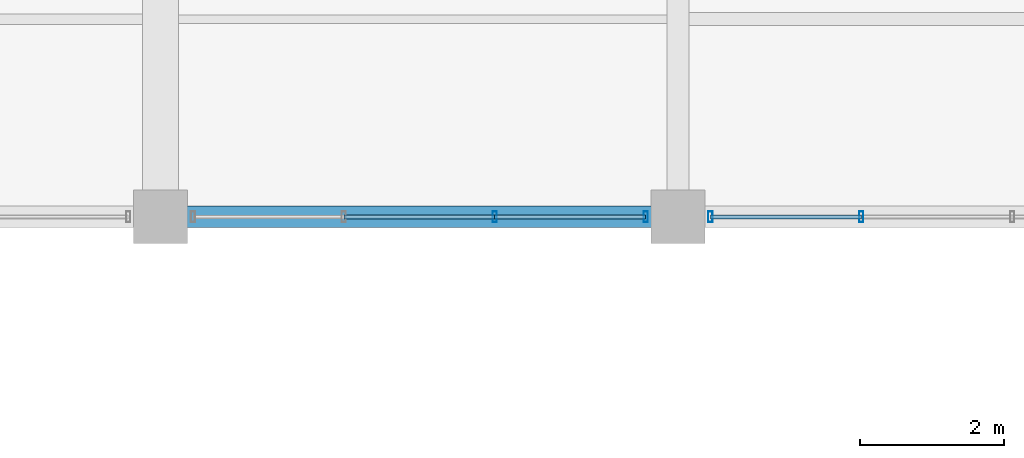
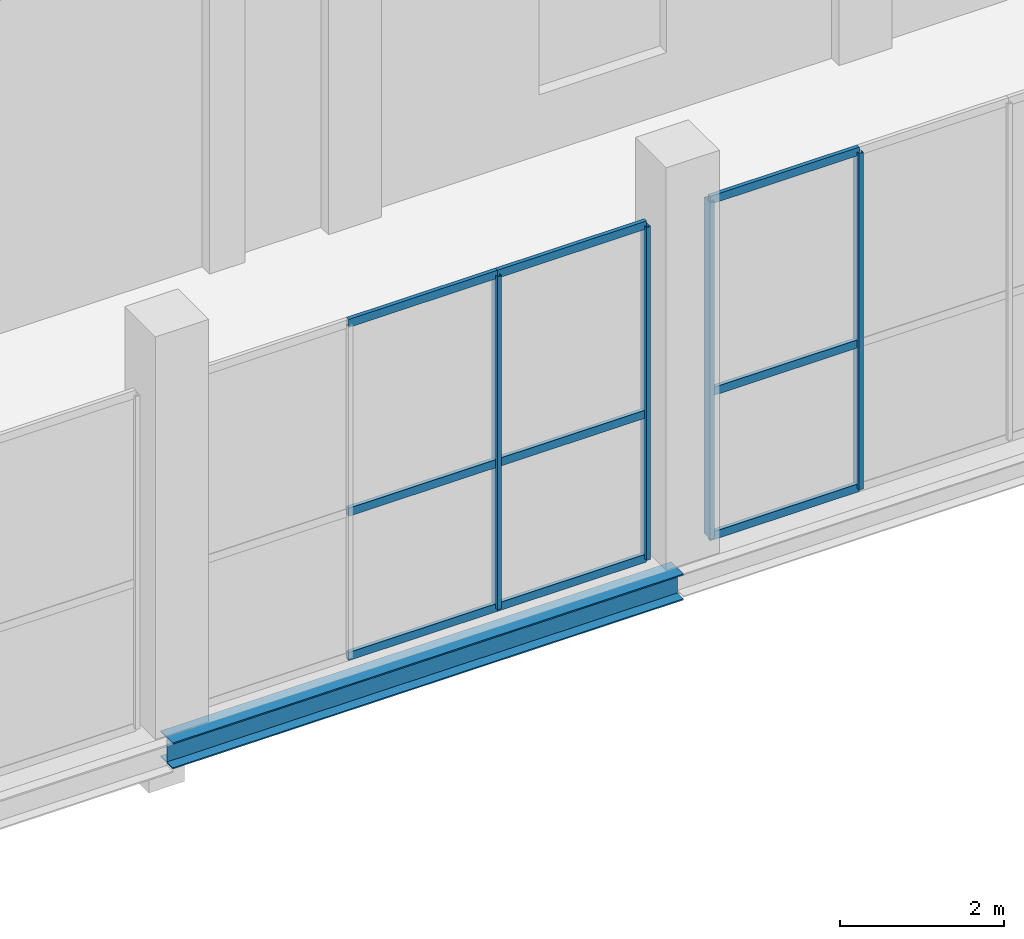
# One storey, part 111 of 144: 13 members, 1 beam, 2 elements without a shape of their own.
"""IFC4 building model written with IfcOpenShell, lengths in metres."""

from ifc_helpers import new_model, si_unit, direction, frame, origin, origin_2d, place, context, subcontext, project, spatial, hollow_rectangle, i_section, extrude, material, layer, layer_set, material_profile, profile_set, type_object, element, aggregate, save


model = new_model("IFC4")

# Units and contexts
model_context = context("Model", 3, precision=1e-05, world=origin(), true_north=direction((0.0, 1.0)))
body_context = subcontext(model_context, "Body", "Model", "MODEL_VIEW")
ifc_project = project(units=[si_unit("LENGTHUNIT", "METRE"), si_unit("AREAUNIT", "SQUARE_METRE"), si_unit("VOLUMEUNIT", "CUBIC_METRE"), si_unit("PLANEANGLEUNIT", "RADIAN"), si_unit("MASSUNIT", "GRAM", prefix="KILO")], contexts=[model_context])

# Site, building, storey
site_placement = place(None, origin())
site = spatial("IfcSite", under=ifc_project, at=site_placement, CompositionType="ELEMENT")
building_placement = place(site_placement, origin())
building = spatial("IfcBuilding", under=site, at=building_placement, Name="Sundgate Opera House", CompositionType="ELEMENT")
storey_placement = place(building_placement, origin())
storey = spatial("IfcBuildingStorey", under=building, at=storey_placement, Name="L00", CompositionType="ELEMENT", Elevation=0.0)

# Beam
ifc_material_1 = material(Name="Steel S355J2", Category="steel")
ifc_material_profile_1 = material_profile(ifc_material_1, i_section(OverallWidth=0.300048828125, OverallDepth=0.389892578125, WebThickness=0.010986328125, FlangeThickness=0.01904296875, at=origin_2d()), Name="HEA 400")
ifc_profile_set_1 = profile_set([ifc_material_profile_1], Name="Steel S355J2")
beam_type = type_object("IfcBeamType", Name="BM-GR-HEA400", PredefinedType="BEAM", material=ifc_profile_set_1)
beam_placement = place(storey_placement, frame((138.60009765625, 111.75, -0.514892578125), z_axis=(1.0, 0.0, 0.0), x_axis=(0.0, 1.0, 0.0)))
element("IfcBeam", 1, at=beam_placement, inside=storey, type_object=beam_type, Name="L00 Primary E-W Girder B0575", PredefinedType="BEAM", context=body_context, shape_type="SweptSolid", body=[
    extrude(i_section(OverallWidth=0.300048828125, OverallDepth=0.389892578125, WebThickness=0.010986328125, FlangeThickness=0.01904296875, at=origin_2d()), origin(), (0.0, 0.0, 1.0), 7.199951171875),
])

# Curtain wall, members
ifc_material_2 = material(Name="Anodized aluminium and low-iron glass", Category="aluminium")
ifc_layer = layer(ifc_material_2, 0.159912109375)
ifc_layer_set = layer_set([ifc_layer], Name="Anodized aluminium and low-iron glass")
curtain_wall_type = type_object("IfcCurtainWallType", Name="CW-STUDIO-DARK", PredefinedType="NOTDEFINED", material=ifc_layer_set)
curtain_wall_1_placement = place(storey_placement, origin())
curtain_wall_1 = element("IfcCurtainWall", 2, at=curtain_wall_1_placement, inside=storey, type_object=curtain_wall_type, Name="L00 Curtain Wall CW085", PredefinedType="NOTDEFINED")
ifc_material_3 = material(Name="Anodized aluminium EN AW-6063", Category="aluminium")
ifc_material_profile_2 = material_profile(ifc_material_3, hollow_rectangle(XDim=0.06005859375, YDim=0.14990234375, WallThickness=0.00390625, at=origin_2d()), Name="CWM 150x60x4")
ifc_profile_set_2 = profile_set([ifc_material_profile_2], Name="Anodized aluminium EN AW-6063")
member_type_1 = type_object("IfcMemberType", Name="CWM-ALU-150x60", PredefinedType="MULLION", material=ifc_profile_set_2)
member_1_placement = place(storey_placement, frame((145.35009765625, 111.75, 0.0), z_axis=(0.0, 0.0, 1.0), x_axis=(1.0, 0.0, 0.0)))
member_1 = element("IfcMember", 3, at=member_1_placement, type_object=member_type_1, Name="CW085 Mullion 1", PredefinedType="MULLION", context=body_context, shape_type="SweptSolid", body=[
    extrude(hollow_rectangle(XDim=0.06005859375, YDim=0.14990234375, WallThickness=0.00390625, at=origin_2d()), origin(), (0.0, 0.0, 1.0), 4.965087890625),
])
member_2_placement = place(storey_placement, frame((143.25, 111.75, 0.0), z_axis=(0.0, 0.0, 1.0), x_axis=(1.0, 0.0, 0.0)))
member_2 = element("IfcMember", 4, at=member_2_placement, type_object=member_type_1, Name="CW085 Mullion 2", PredefinedType="MULLION", context=body_context, shape_type="SweptSolid", body=[
    extrude(hollow_rectangle(XDim=0.06005859375, YDim=0.14990234375, WallThickness=0.00390625, at=origin_2d()), origin(), (0.0, 0.0, 1.0), 4.965087890625),
])

curtain_wall_2_placement = place(storey_placement, origin())
curtain_wall_2 = element("IfcCurtainWall", 5, at=curtain_wall_2_placement, inside=storey, type_object=curtain_wall_type, Name="L00 Curtain Wall CW087", PredefinedType="NOTDEFINED")
member_3_placement = place(storey_placement, frame((148.35009765625, 111.75, 0.0), z_axis=(0.0, 0.0, 1.0), x_axis=(1.0, 0.0, 0.0)))
member_3 = element("IfcMember", 6, at=member_3_placement, type_object=member_type_1, Name="CW087 Mullion 3", PredefinedType="MULLION", context=body_context, shape_type="SweptSolid", body=[
    extrude(hollow_rectangle(XDim=0.06005859375, YDim=0.14990234375, WallThickness=0.00390625, at=origin_2d()), origin(), (0.0, 0.0, 1.0), 5.014892578125),
])
member_4_placement = place(storey_placement, frame((146.25, 111.75, 0.0), z_axis=(0.0, 0.0, 1.0), x_axis=(1.0, 0.0, 0.0)))
member_4 = element("IfcMember", 7, at=member_4_placement, type_object=member_type_1, Name="CW087 Mullion 4", PredefinedType="MULLION", context=body_context, shape_type="SweptSolid", body=[
    extrude(hollow_rectangle(XDim=0.06005859375, YDim=0.14990234375, WallThickness=0.00390625, at=origin_2d()), origin(), (0.0, 0.0, 1.0), 5.014892578125),
])

# Member
ifc_material_4 = material(Name="Anodized aluminium EN AW-6063", Category="aluminium")
ifc_material_profile_3 = material_profile(ifc_material_4, hollow_rectangle(XDim=0.054931640625, YDim=0.1201171875, WallThickness=0.00390625, at=origin_2d()), Name="CWT 120x55x4")
ifc_profile_set_3 = profile_set([ifc_material_profile_3], Name="Anodized aluminium EN AW-6063")
member_type_2 = type_object("IfcMemberType", Name="CWT-ALU-120x55", PredefinedType="USERDEFINED", material=ifc_profile_set_3)
member_5_placement = place(storey_placement, frame((145.35009765625, 111.75, 0.0), z_axis=(-1.0, 0.0, 0.0), x_axis=(0.0, -1.0, 0.0)))
member_5 = element("IfcMember", 8, at=member_5_placement, type_object=member_type_2, Name="CW085 Transom 1", ObjectType="TRANSOM", PredefinedType="USERDEFINED", context=body_context, shape_type="SweptSolid", body=[
    extrude(hollow_rectangle(XDim=0.054931640625, YDim=0.1201171875, WallThickness=0.00390625, at=origin_2d()), origin(), (0.0, 0.0, 1.0), 2.10009765625),
])

member_6_placement = place(storey_placement, frame((145.35009765625, 111.75, 2.14990234375), z_axis=(-1.0, 0.0, 0.0), x_axis=(0.0, -1.0, 0.0)))
member_6 = element("IfcMember", 9, at=member_6_placement, type_object=member_type_2, Name="CW085 Transom 2", ObjectType="TRANSOM", PredefinedType="USERDEFINED", context=body_context, shape_type="SweptSolid", body=[
    extrude(hollow_rectangle(XDim=0.054931640625, YDim=0.1201171875, WallThickness=0.00390625, at=origin_2d()), origin(), (0.0, 0.0, 1.0), 2.10009765625),
])

member_7_placement = place(storey_placement, frame((145.35009765625, 111.75, 4.965087890625), z_axis=(-1.0, 0.0, 0.0), x_axis=(0.0, -1.0, 0.0)))
member_7 = element("IfcMember", 10, at=member_7_placement, type_object=member_type_2, Name="CW085 Transom 3", ObjectType="TRANSOM", PredefinedType="USERDEFINED", context=body_context, shape_type="SweptSolid", body=[
    extrude(hollow_rectangle(XDim=0.054931640625, YDim=0.1201171875, WallThickness=0.00390625, at=origin_2d()), origin(), (0.0, 0.0, 1.0), 2.10009765625),
])

member_8_placement = place(storey_placement, frame((143.25, 111.75, 0.0), z_axis=(-1.0, 0.0, 0.0), x_axis=(0.0, -1.0, 0.0)))
member_8 = element("IfcMember", 11, at=member_8_placement, type_object=member_type_2, Name="CW085 Transom 4", ObjectType="TRANSOM", PredefinedType="USERDEFINED", context=body_context, shape_type="SweptSolid", body=[
    extrude(hollow_rectangle(XDim=0.054931640625, YDim=0.1201171875, WallThickness=0.00390625, at=origin_2d()), origin(), (0.0, 0.0, 1.0), 2.10009765625),
])

member_9_placement = place(storey_placement, frame((143.25, 111.75, 2.14990234375), z_axis=(-1.0, 0.0, 0.0), x_axis=(0.0, -1.0, 0.0)))
member_9 = element("IfcMember", 12, at=member_9_placement, type_object=member_type_2, Name="CW085 Transom 5", ObjectType="TRANSOM", PredefinedType="USERDEFINED", context=body_context, shape_type="SweptSolid", body=[
    extrude(hollow_rectangle(XDim=0.054931640625, YDim=0.1201171875, WallThickness=0.00390625, at=origin_2d()), origin(), (0.0, 0.0, 1.0), 2.10009765625),
])

member_10_placement = place(storey_placement, frame((143.25, 111.75, 4.965087890625), z_axis=(-1.0, 0.0, 0.0), x_axis=(0.0, -1.0, 0.0)))
member_10 = element("IfcMember", 13, at=member_10_placement, type_object=member_type_2, Name="CW085 Transom 6", ObjectType="TRANSOM", PredefinedType="USERDEFINED", context=body_context, shape_type="SweptSolid", body=[
    extrude(hollow_rectangle(XDim=0.054931640625, YDim=0.1201171875, WallThickness=0.00390625, at=origin_2d()), origin(), (0.0, 0.0, 1.0), 2.10009765625),
])

aggregate(curtain_wall_1, [member_1, member_2, member_5, member_6, member_7, member_8, member_9, member_10])

member_11_placement = place(storey_placement, frame((148.35009765625, 111.75, 0.0), z_axis=(-1.0, 0.0, 0.0), x_axis=(0.0, -1.0, 0.0)))
member_11 = element("IfcMember", 14, at=member_11_placement, type_object=member_type_2, Name="CW087 Transom 7", ObjectType="TRANSOM", PredefinedType="USERDEFINED", context=body_context, shape_type="SweptSolid", body=[
    extrude(hollow_rectangle(XDim=0.054931640625, YDim=0.1201171875, WallThickness=0.00390625, at=origin_2d()), origin(), (0.0, 0.0, 1.0), 2.10009765625),
])

member_12_placement = place(storey_placement, frame((148.35009765625, 111.75, 2.14990234375), z_axis=(-1.0, 0.0, 0.0), x_axis=(0.0, -1.0, 0.0)))
member_12 = element("IfcMember", 15, at=member_12_placement, type_object=member_type_2, Name="CW087 Transom 8", ObjectType="TRANSOM", PredefinedType="USERDEFINED", context=body_context, shape_type="SweptSolid", body=[
    extrude(hollow_rectangle(XDim=0.054931640625, YDim=0.1201171875, WallThickness=0.00390625, at=origin_2d()), origin(), (0.0, 0.0, 1.0), 2.10009765625),
])

member_13_placement = place(storey_placement, frame((148.35009765625, 111.75, 5.014892578125), z_axis=(-1.0, 0.0, 0.0), x_axis=(0.0, -1.0, 0.0)))
member_13 = element("IfcMember", 16, at=member_13_placement, type_object=member_type_2, Name="CW087 Transom 9", ObjectType="TRANSOM", PredefinedType="USERDEFINED", context=body_context, shape_type="SweptSolid", body=[
    extrude(hollow_rectangle(XDim=0.054931640625, YDim=0.1201171875, WallThickness=0.00390625, at=origin_2d()), origin(), (0.0, 0.0, 1.0), 2.10009765625),
])

aggregate(curtain_wall_2, [member_3, member_4, member_11, member_12, member_13])

save(model, "model.ifc")
